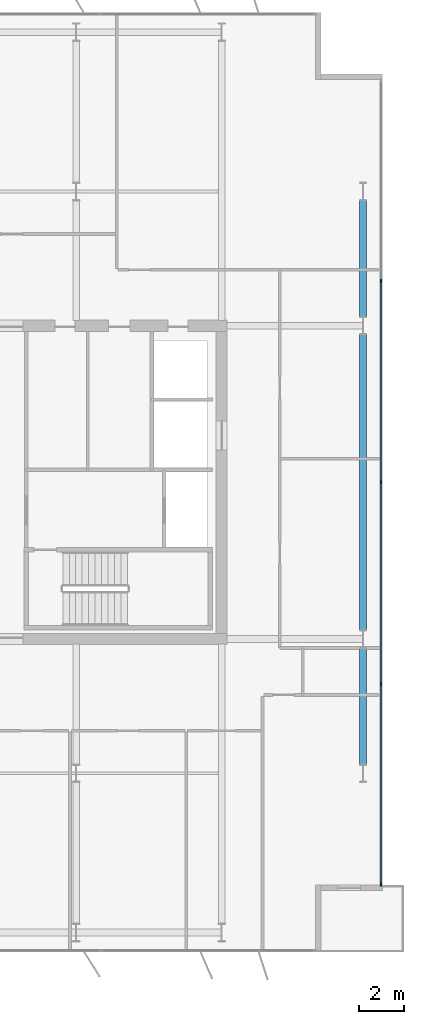
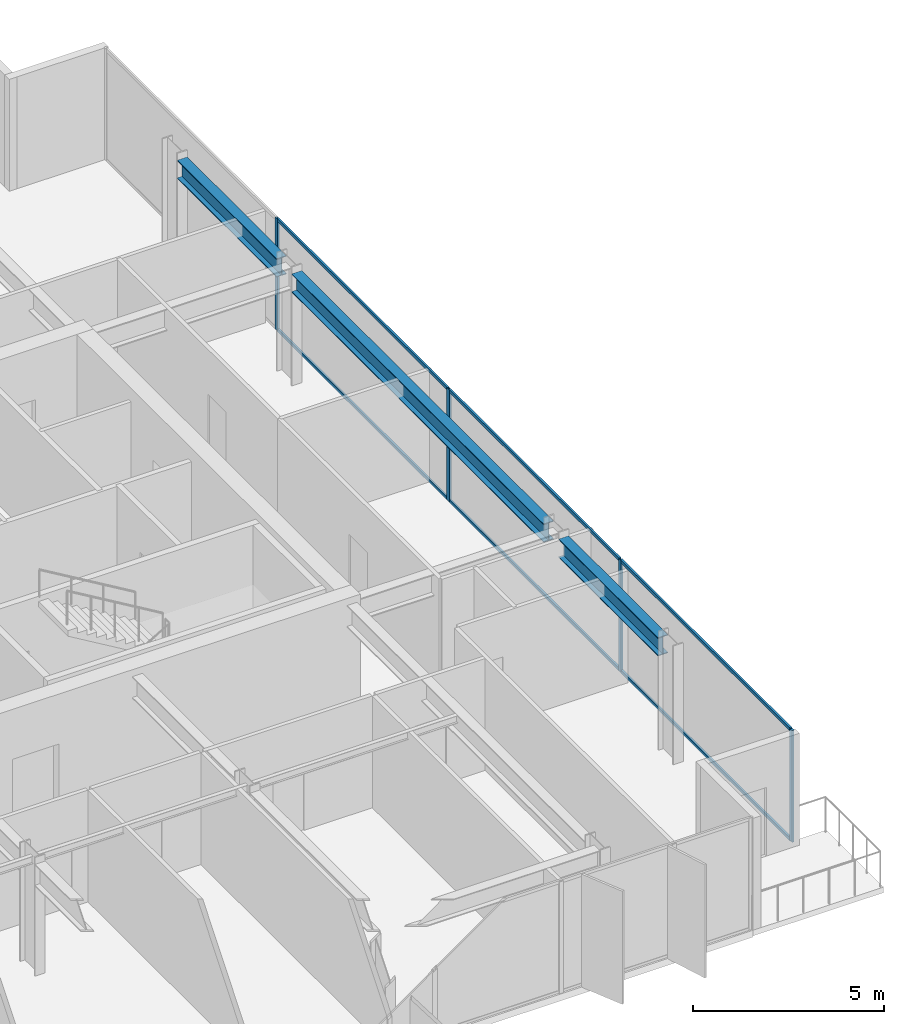
# One storey, part 14 of 24: 10 members, 3 beams, 1 element without a shape of its own.
"""IFC4 building model written with IfcOpenShell, lengths in metres."""

from ifc_helpers import new_model, si_unit, direction, frame, origin, origin_2d, place, context, subcontext, project, spatial, rectangle, i_section, extrude, material, layer, layer_set, material_profile, profile_set, type_object, element, aggregate, save


model = new_model("IFC4")

# Units and contexts
model_context = context("Model", 3, precision=1e-05, world=origin(), true_north=direction((0.0, 1.0)))
body_context = subcontext(model_context, "Body", "Model", "MODEL_VIEW")
ifc_project = project(units=[si_unit("LENGTHUNIT", "METRE"), si_unit("AREAUNIT", "SQUARE_METRE"), si_unit("VOLUMEUNIT", "CUBIC_METRE"), si_unit("PLANEANGLEUNIT", "RADIAN"), si_unit("MASSUNIT", "GRAM", prefix="KILO")], contexts=[model_context])

# Site, building, storey
site_placement = place(None, origin())
site = spatial("IfcSite", under=ifc_project, at=site_placement, CompositionType="ELEMENT")
building_placement = place(site_placement, origin())
building = spatial("IfcBuilding", under=site, at=building_placement, Name="Putna Gate Headquarters", CompositionType="ELEMENT")
storey_placement = place(building_placement, frame((0.0, 0.0, 240.39990234375)))
storey = spatial("IfcBuildingStorey", under=building, at=storey_placement, Name="L60", CompositionType="ELEMENT", Elevation=240.39990234375)

# Beams
ifc_material_1 = material(Name="Steel S355J2", Category="steel")
ifc_material_profile_1 = material_profile(ifc_material_1, i_section(OverallWidth=0.300048828125, OverallDepth=0.590087890625, WebThickness=0.012939453125, FlangeThickness=0.02490234375, at=origin_2d()), Name="Steel S355J2")
ifc_profile_set_1 = profile_set([ifc_material_profile_1], Name="Steel S355J2")
beam_type = type_object("IfcBeamType", Name="BM-SPAN-Z4-HEA600", PredefinedType="SPANDREL", material=ifc_profile_set_1)
beam_1_placement = place(storey_placement, frame((71.320068359375, 13.39501953125, 3.28515625), z_axis=(0.0, 1.0, 0.0), x_axis=(-1.0, 0.0, 0.0)))
element("IfcBeam", 1, at=beam_1_placement, inside=storey, type_object=beam_type, Name="L60 E End Spandrel 1", PredefinedType="SPANDREL", context=body_context, shape_type="SweptSolid", body=[
    extrude(i_section(OverallWidth=0.300048828125, OverallDepth=0.590087890625, WebThickness=0.012939453125, FlangeThickness=0.02490234375, at=origin_2d()), origin(), (0.0, 0.0, 1.0), 5.2099609375),
])
beam_2_placement = place(storey_placement, frame((71.320068359375, 19.39501953125, 3.28515625), z_axis=(0.0, 1.0, 0.0), x_axis=(-1.0, 0.0, 0.0)))
element("IfcBeam", 2, at=beam_2_placement, inside=storey, type_object=beam_type, Name="L60 E End Spandrel 2", PredefinedType="SPANDREL", context=body_context, shape_type="SweptSolid", body=[
    extrude(i_section(OverallWidth=0.300048828125, OverallDepth=0.590087890625, WebThickness=0.012939453125, FlangeThickness=0.02490234375, at=origin_2d()), origin(), (0.0, 0.0, 1.0), 13.2099609375),
])
beam_3_placement = place(storey_placement, frame((71.320068359375, 33.39501953125, 3.28515625), z_axis=(0.0, 1.0, 0.0), x_axis=(-1.0, 0.0, 0.0)))
element("IfcBeam", 3, at=beam_3_placement, inside=storey, type_object=beam_type, Name="L60 E End Spandrel 3", PredefinedType="SPANDREL", context=body_context, shape_type="SweptSolid", body=[
    extrude(i_section(OverallWidth=0.300048828125, OverallDepth=0.590087890625, WebThickness=0.012939453125, FlangeThickness=0.02490234375, at=origin_2d()), origin(), (0.0, 0.0, 1.0), 5.2099609375),
])

# Curtain wall, members
ifc_material_2 = material(Name="Anodised bronze aluminium curtain wall", Category="aluminium")
ifc_layer = layer(ifc_material_2, 0.139892578125)
ifc_layer_set = layer_set([ifc_layer], Name="Anodised bronze aluminium curtain wall")
curtain_wall_type = type_object("IfcCurtainWallType", Name="CW-SYS-Z4", PredefinedType="USERDEFINED", material=ifc_layer_set)
curtain_wall_placement = place(storey_placement, origin())
curtain_wall = element("IfcCurtainWall", 4, at=curtain_wall_placement, inside=storey, type_object=curtain_wall_type, Name="L60 East Curtain Wall", ObjectType="STICK CURTAIN WALL", PredefinedType="USERDEFINED")
ifc_material_3 = material(Name="Anodised bronze aluminium EN AW-6060", Category="aluminium")
ifc_material_profile_2 = material_profile(ifc_material_3, rectangle(XDim=0.06005859375, YDim=0.139892578125, at=origin_2d()), Name="Anodised bronze aluminium EN AW-6060")
ifc_profile_set_2 = profile_set([ifc_material_profile_2], Name="Anodised bronze aluminium EN AW-6060")
member_type_1 = type_object("IfcMemberType", Name="MULL-CWM-4", PredefinedType="MULLION", material=ifc_profile_set_2)
member_1_placement = place(storey_placement, frame((72.1201171875, 8.030029296875, 0.0), z_axis=(0.0, 0.0, 1.0), x_axis=(-1.0, 0.0, 0.0)))
member_1 = element("IfcMember", 5, at=member_1_placement, type_object=member_type_1, Name="CWS-4 mullion 1", PredefinedType="MULLION", context=body_context, shape_type="SweptSolid", body=[
    extrude(rectangle(XDim=0.06005859375, YDim=0.139892578125, at=origin_2d()), origin(), (0.0, 0.0, 1.0), 3.580078125),
])
member_2_placement = place(storey_placement, frame((72.1201171875, 17.0, 0.0), z_axis=(0.0, 0.0, 1.0), x_axis=(-1.0, 0.0, 0.0)))
member_2 = element("IfcMember", 6, at=member_2_placement, type_object=member_type_1, Name="CWS-4 mullion 2", PredefinedType="MULLION", context=body_context, shape_type="SweptSolid", body=[
    extrude(rectangle(XDim=0.06005859375, YDim=0.139892578125, at=origin_2d()), origin(), (0.0, 0.0, 1.0), 3.580078125),
])
member_3_placement = place(storey_placement, frame((72.1201171875, 26.0, 0.0), z_axis=(0.0, 0.0, 1.0), x_axis=(-1.0, 0.0, 0.0)))
member_3 = element("IfcMember", 7, at=member_3_placement, type_object=member_type_1, Name="CWS-4 mullion 3", PredefinedType="MULLION", context=body_context, shape_type="SweptSolid", body=[
    extrude(rectangle(XDim=0.06005859375, YDim=0.139892578125, at=origin_2d()), origin(), (0.0, 0.0, 1.0), 3.580078125),
])
member_4_placement = place(storey_placement, frame((72.1201171875, 35.0, 0.0), z_axis=(0.0, 0.0, 1.0), x_axis=(-1.0, 0.0, 0.0)))
member_4 = element("IfcMember", 8, at=member_4_placement, type_object=member_type_1, Name="CWS-4 mullion 4", PredefinedType="MULLION", context=body_context, shape_type="SweptSolid", body=[
    extrude(rectangle(XDim=0.06005859375, YDim=0.139892578125, at=origin_2d()), origin(), (0.0, 0.0, 1.0), 3.580078125),
])
ifc_material_profile_3 = material_profile(ifc_material_3, rectangle(XDim=0.06005859375, YDim=0.10009765625, at=origin_2d()), Name="Anodised bronze aluminium EN AW-6060")
ifc_profile_set_3 = profile_set([ifc_material_profile_3], Name="Anodised bronze aluminium EN AW-6060")
member_type_2 = type_object("IfcMemberType", Name="TRAN-CWT-4", PredefinedType="USERDEFINED", material=ifc_profile_set_3)
member_5_placement = place(storey_placement, frame((72.1201171875, 8.06005859375, 0.030029296875), z_axis=(0.0, 1.0, 0.0), x_axis=(-1.0, 0.0, 0.0)))
member_5 = element("IfcMember", 9, at=member_5_placement, type_object=member_type_2, Name="CWS-4 transom 1.1", ObjectType="TRANSOM", PredefinedType="USERDEFINED", context=body_context, shape_type="SweptSolid", body=[
    extrude(rectangle(XDim=0.06005859375, YDim=0.10009765625, at=origin_2d()), origin(), (0.0, 0.0, 1.0), 8.909912109375),
])
member_6_placement = place(storey_placement, frame((72.1201171875, 8.06005859375, 3.550048828125), z_axis=(0.0, 1.0, 0.0), x_axis=(-1.0, 0.0, 0.0)))
member_6 = element("IfcMember", 10, at=member_6_placement, type_object=member_type_2, Name="CWS-4 transom 1.2", ObjectType="TRANSOM", PredefinedType="USERDEFINED", context=body_context, shape_type="SweptSolid", body=[
    extrude(rectangle(XDim=0.06005859375, YDim=0.10009765625, at=origin_2d()), origin(), (0.0, 0.0, 1.0), 8.909912109375),
])
member_7_placement = place(storey_placement, frame((72.1201171875, 17.030029296875, 0.030029296875), z_axis=(0.0, 1.0, 0.0), x_axis=(-1.0, 0.0, 0.0)))
member_7 = element("IfcMember", 11, at=member_7_placement, type_object=member_type_2, Name="CWS-4 transom 2.1", ObjectType="TRANSOM", PredefinedType="USERDEFINED", context=body_context, shape_type="SweptSolid", body=[
    extrude(rectangle(XDim=0.06005859375, YDim=0.10009765625, at=origin_2d()), origin(), (0.0, 0.0, 1.0), 8.93994140625),
])
member_8_placement = place(storey_placement, frame((72.1201171875, 17.030029296875, 3.550048828125), z_axis=(0.0, 1.0, 0.0), x_axis=(-1.0, 0.0, 0.0)))
member_8 = element("IfcMember", 12, at=member_8_placement, type_object=member_type_2, Name="CWS-4 transom 2.2", ObjectType="TRANSOM", PredefinedType="USERDEFINED", context=body_context, shape_type="SweptSolid", body=[
    extrude(rectangle(XDim=0.06005859375, YDim=0.10009765625, at=origin_2d()), origin(), (0.0, 0.0, 1.0), 8.93994140625),
])
member_9_placement = place(storey_placement, frame((72.1201171875, 26.030029296875, 0.030029296875), z_axis=(0.0, 1.0, 0.0), x_axis=(-1.0, 0.0, 0.0)))
member_9 = element("IfcMember", 13, at=member_9_placement, type_object=member_type_2, Name="CWS-4 transom 3.1", ObjectType="TRANSOM", PredefinedType="USERDEFINED", context=body_context, shape_type="SweptSolid", body=[
    extrude(rectangle(XDim=0.06005859375, YDim=0.10009765625, at=origin_2d()), origin(), (0.0, 0.0, 1.0), 8.93994140625),
])
member_10_placement = place(storey_placement, frame((72.1201171875, 26.030029296875, 3.550048828125), z_axis=(0.0, 1.0, 0.0), x_axis=(-1.0, 0.0, 0.0)))
member_10 = element("IfcMember", 14, at=member_10_placement, type_object=member_type_2, Name="CWS-4 transom 3.2", ObjectType="TRANSOM", PredefinedType="USERDEFINED", context=body_context, shape_type="SweptSolid", body=[
    extrude(rectangle(XDim=0.06005859375, YDim=0.10009765625, at=origin_2d()), origin(), (0.0, 0.0, 1.0), 8.93994140625),
])
aggregate(curtain_wall, [member_1, member_2, member_3, member_4, member_5, member_6, member_7, member_8, member_9, member_10])

save(model, "model.ifc")
